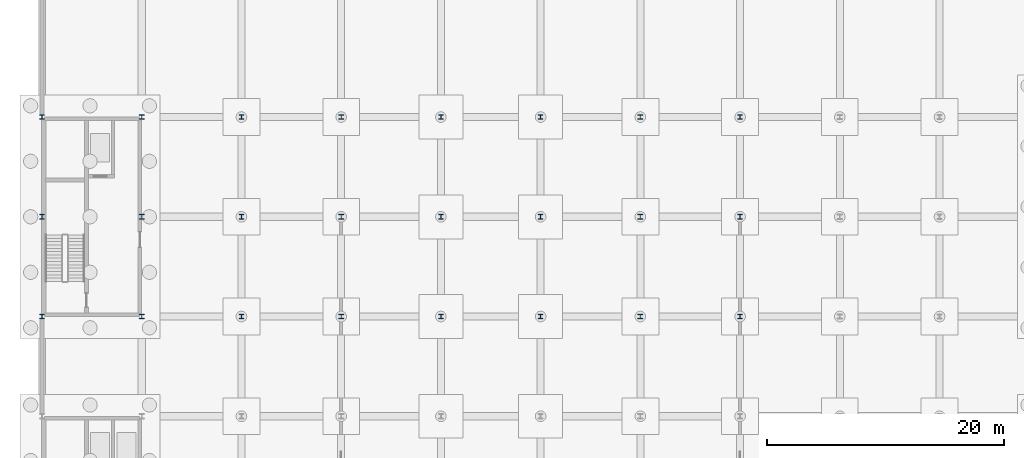
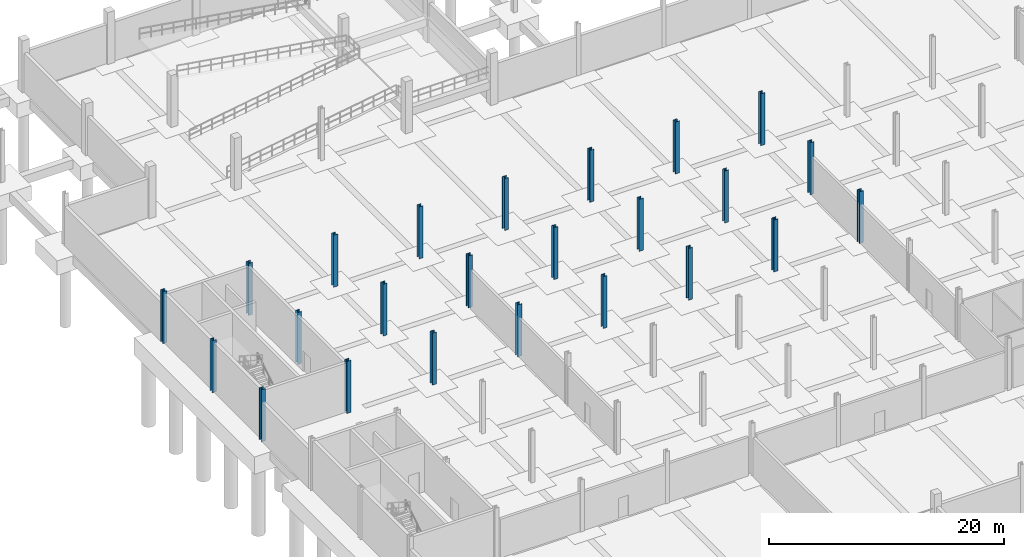
# One storey, part 12 of 36: 24 columns.
"""IFC4 building model written with IfcOpenShell, lengths in metres."""

from ifc_helpers import new_model, si_unit, direction, frame, origin, origin_2d, place, context, subcontext, project, spatial, i_section, extrude, material, material_profile, profile_set, type_object, element, save


model = new_model("IFC4")

# Units and contexts
model_context = context("Model", 3, precision=1e-05, world=origin(), true_north=direction((0.0, 1.0)))
body_context = subcontext(model_context, "Body", "Model", "MODEL_VIEW")
ifc_project = project(units=[si_unit("LENGTHUNIT", "METRE"), si_unit("AREAUNIT", "SQUARE_METRE"), si_unit("VOLUMEUNIT", "CUBIC_METRE"), si_unit("PLANEANGLEUNIT", "RADIAN"), si_unit("MASSUNIT", "GRAM", prefix="KILO"), si_unit("THERMODYNAMICTEMPERATUREUNIT", "KELVIN"), si_unit("POWERUNIT", "WATT")], contexts=[model_context])

# Site, building, storey
site_placement = place(None, origin())
site = spatial("IfcSite", under=ifc_project, at=site_placement, CompositionType="ELEMENT")
building_placement = place(site_placement, origin())
building = spatial("IfcBuilding", under=site, at=building_placement, Name="Tembeka Court Mobility Hub", CompositionType="ELEMENT")
storey_placement = place(building_placement, frame((0.0, 0.0, -5.39990234375)))
storey = spatial("IfcBuildingStorey", under=building, at=storey_placement, Name="B1", CompositionType="ELEMENT", Elevation=-5.39990234375)

# Columns
ifc_material = material(Name="Steel S355", Category="steel")
ifc_material_profile = material_profile(ifc_material, i_section(OverallWidth=0.39892578125, OverallDepth=0.39404296875, WebThickness=0.022705078125, FlangeThickness=0.03662109375, FilletRadius=0.01513671875, at=origin_2d()), Name="UKC 356x406x287")
ifc_profile_set = profile_set([ifc_material_profile], Name="Steel S355")
column_type = type_object("IfcColumnType", Name="COL-C01", PredefinedType="COLUMN", material=ifc_profile_set)
for number, where, z_axis, x_axis, name in (
    (1, (0.0, 63.60009765625, 0.0), (0.0, 0.0, 1.0), (1.0, 0.0, 0.0), "Column C01 (B1-007)"),
    (2, (0.0, 72.0, 0.0), (0.0, 0.0, 1.0), (1.0, 0.0, 0.0), "Column C01 (B1-008)"),
    (3, (0.0, 80.39990234375, 0.0), (0.0, 0.0, 1.0), (1.0, 0.0, 0.0), "Column C01 (B1-009)"),
    (4, (8.39990234375, 63.60009765625, 0.0), (0.0, 0.0, 1.0), (1.0, 0.0, 0.0), "Column C01 (B1-019)"),
    (5, (8.39990234375, 72.0, 0.0), (0.0, 0.0, 1.0), (1.0, 0.0, 0.0), "Column C01 (B1-020)"),
    (6, (8.39990234375, 80.39990234375, 0.0), (0.0, 0.0, 1.0), (1.0, 0.0, 0.0), "Column C01 (B1-021)"),
    (7, (16.800048828125, 63.60009765625, 0.0), (0.0, 0.0, 1.0), (1.0, 0.0, 0.0), "Column C01 (B1-031)"),
    (8, (16.800048828125, 72.0, 0.0), (0.0, 0.0, 1.0), (1.0, 0.0, 0.0), "Column C01 (B1-032)"),
    (9, (16.800048828125, 80.39990234375, 0.0), (0.0, 0.0, 1.0), (1.0, 0.0, 0.0), "Column C01 (B1-033)"),
    (10, (25.199951171875, 63.60009765625, 0.0), (0.0, 0.0, 1.0), (1.0, 0.0, 0.0), "Column C01 (B1-042)"),
    (11, (25.199951171875, 72.0, 0.0), (0.0, 0.0, 1.0), (1.0, 0.0, 0.0), "Column C01 (B1-043)"),
    (12, (25.199951171875, 80.39990234375, 0.0), (0.0, 0.0, 1.0), (1.0, 0.0, 0.0), "Column C01 (B1-044)"),
    (13, (33.60009765625, 63.60009765625, 0.0), (0.0, 0.0, 1.0), (1.0, 0.0, 0.0), "Column C01 (B1-053)"),
    (14, (33.60009765625, 72.0, 0.0), (0.0, 0.0, 1.0), (1.0, 0.0, 0.0), "Column C01 (B1-054)"),
    (15, (33.60009765625, 80.39990234375, 0.0), (0.0, 0.0, 1.0), (1.0, 0.0, 0.0), "Column C01 (B1-055)"),
    (16, (42.0, 63.60009765625, 0.0), (0.0, 0.0, 1.0), (1.0, 0.0, 0.0), "Column C01 (B1-065)"),
    (17, (42.0, 72.0, 0.0), (0.0, 0.0, 1.0), (1.0, 0.0, 0.0), "Column C01 (B1-066)"),
    (18, (42.0, 80.39990234375, 0.0), (0.0, 0.0, 1.0), (1.0, 0.0, 0.0), "Column C01 (B1-067)"),
    (19, (50.39990234375, 63.60009765625, 0.0), (0.0, 0.0, 1.0), (1.0, 0.0, 0.0), "Column C01 (B1-077)"),
    (20, (50.39990234375, 72.0, 0.0), (0.0, 0.0, 1.0), (1.0, 0.0, 0.0), "Column C01 (B1-078)"),
    (21, (50.39990234375, 80.39990234375, 0.0), (0.0, 0.0, 1.0), (1.0, 0.0, 0.0), "Column C01 (B1-079)"),
    (22, (58.800048828125, 63.60009765625, 0.0), (0.0, 0.0, 1.0), (1.0, 0.0, 0.0), "Column C01 (B1-088)"),
    (23, (58.800048828125, 72.0, 0.0), (0.0, 0.0, 1.0), (1.0, 0.0, 0.0), "Column C01 (B1-089)"),
    (24, (58.800048828125, 80.39990234375, 0.0), (0.0, 0.0, 1.0), (1.0, 0.0, 0.0), "Column C01 (B1-090)"),
):
    element("IfcColumn", number, at=place(storey_placement, frame(where, z_axis=z_axis, x_axis=x_axis)), inside=storey, type_object=column_type, Name=name, PredefinedType="COLUMN", context=body_context, shape_type="SweptSolid", body=[
        extrude(i_section(OverallWidth=0.39892578125, OverallDepth=0.39404296875, WebThickness=0.022705078125, FlangeThickness=0.03662109375, FilletRadius=0.01513671875, at=origin_2d()), origin(), (0.0, 0.0, 1.0), 5.39990234375),
    ])

save(model, "model.ifc")
